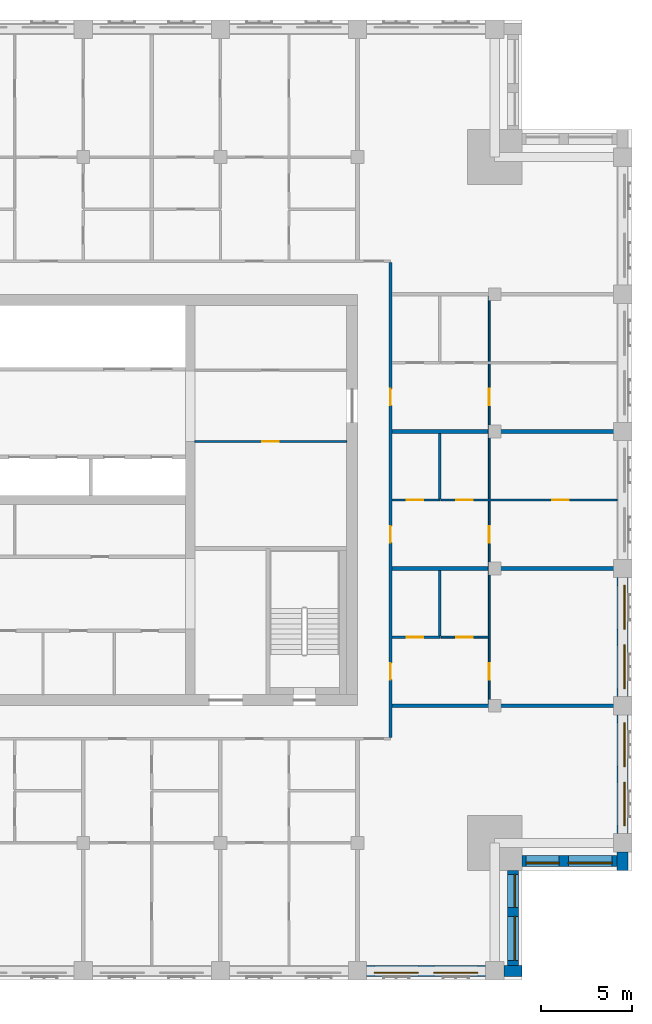
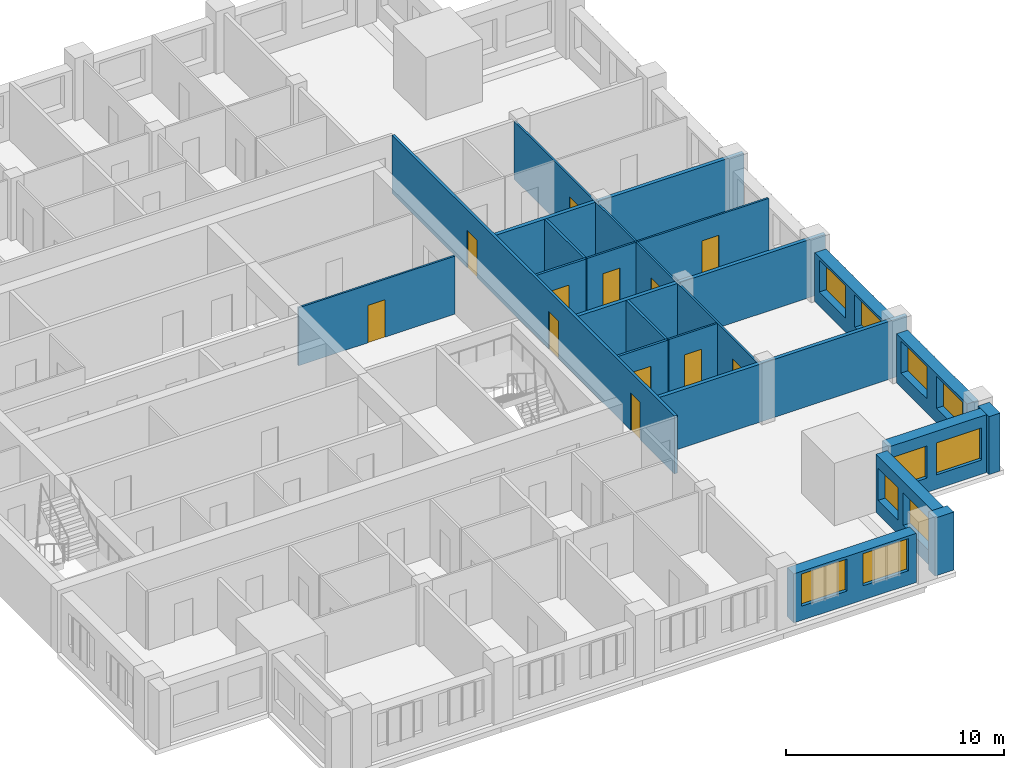
# One storey, part 5 of 10: 19 walls, 12 doors, 10 windows, 22 openings.
"""IFC4 building model written with IfcOpenShell, lengths in metres."""

from ifc_helpers import new_model, si_unit, direction, frame, frame_2d, origin, place, context, subcontext, project, spatial, rectangle, extrude, material, layer, layer_set, type_object, element, fill, save


model = new_model("IFC4")

# Units and contexts
model_context = context("Model", 3, precision=1e-05, world=origin(), true_north=direction((0.0, 1.0)))
body_context = subcontext(model_context, "Body", "Model", "MODEL_VIEW")
ifc_project = project(units=[si_unit("LENGTHUNIT", "METRE"), si_unit("AREAUNIT", "SQUARE_METRE"), si_unit("VOLUMEUNIT", "CUBIC_METRE"), si_unit("PLANEANGLEUNIT", "RADIAN"), si_unit("MASSUNIT", "GRAM", prefix="KILO")], contexts=[model_context])

# Site, building, storey
site_placement = place(None, origin())
site = spatial("IfcSite", under=ifc_project, at=site_placement, CompositionType="ELEMENT")
building_placement = place(site_placement, origin())
building = spatial("IfcBuilding", under=site, at=building_placement, Name="Tamorin Gate", CompositionType="ELEMENT")
storey_placement = place(building_placement, frame((0.0, 0.0, 276.699951171875)))
storey = spatial("IfcBuildingStorey", under=building, at=storey_placement, Name="L69", CompositionType="ELEMENT", Elevation=276.699951171875)

# Wall, openings, windows
ifc_material_1 = material(Name="Precast concrete C40/50", Category="concrete")
ifc_layer_1 = layer(ifc_material_1, 0.60009765625)
ifc_layer_set_1 = layer_set([ifc_layer_1], Name="Precast concrete C40/50")
wall_type_1 = type_object("IfcWallType", Name="Board-marked concrete facade panel 600", PredefinedType="SOLIDWALL", material=ifc_layer_set_1)
wall_1_placement = place(storey_placement, frame((60.5, 45.5, 0.0), z_axis=(0.0, 0.0, 1.0), x_axis=(1.0, 0.0, 0.0)))
wall_1 = element("IfcWall", 1, at=wall_1_placement, inside=storey, type_object=wall_type_1, Name="Facade panel", PredefinedType="SOLIDWALL", context=body_context, shape_type="SweptSolid", body=[
    extrude(rectangle(XDim=6.5, YDim=0.60009765625, at=frame_2d((3.25, 0.0))), origin(), (0.0, 0.0, 1.0), 2.75),
])
opening_1_placement = place(wall_1_placement, frame((0.425048828125, 0.0, 0.800048828125)))
opening_1 = element("IfcOpeningElement", 2, at=opening_1_placement, cuts=wall_1, Name="Opening WN1", PredefinedType="OPENING", context=body_context, shape_type="SweptSolid", body=[
    extrude(rectangle(XDim=2.39990234375, YDim=1.800048828125, at=frame_2d((1.199951171875, 0.89990234375))), frame((0.0, 0.31005859375, 0.0), z_axis=(0.0, -1.0, 0.0), x_axis=(1.0, 0.0, 0.0)), (0.0, 0.0, 1.0), 0.6201171875),
])
opening_2_placement = place(wall_1_placement, frame((3.675048828125, 0.0, 0.800048828125)))
opening_2 = element("IfcOpeningElement", 3, at=opening_2_placement, cuts=wall_1, Name="Opening WN1", PredefinedType="OPENING", context=body_context, shape_type="SweptSolid", body=[
    extrude(rectangle(XDim=2.39990234375, YDim=1.800048828125, at=frame_2d((1.199951171875, 0.89990234375))), frame((0.0, 0.31005859375, 0.0), z_axis=(0.0, -1.0, 0.0), x_axis=(1.0, 0.0, 0.0)), (0.0, 0.0, 1.0), 0.6201171875),
])
ifc_material_2 = material(Name="Clear glass in aluminium frame", Category="aluminium")
window_type_1 = type_object("IfcWindowType", Name="Deep-set window 2400x1800", PartitioningType="SINGLE_PANEL", PredefinedType="WINDOW", material=ifc_material_2)
window_1_placement = place(opening_1_placement, origin())
window_1 = element("IfcWindow", 4, at=window_1_placement, inside=storey, type_object=window_type_1, Name="Deep-set window", OverallHeight=1.800048828125, OverallWidth=2.39990234375, PartitioningType="SINGLE_PANEL", PredefinedType="WINDOW", context=body_context, shape_type="SweptSolid", body=[
    extrude(rectangle(XDim=2.39990234375, YDim=1.800048828125, at=frame_2d((1.199951171875, 0.89990234375))), frame((0.0, -0.070068359375, 0.0), z_axis=(0.0, -1.0, 0.0), x_axis=(1.0, 0.0, 0.0)), (0.0, 0.0, 1.0), 0.06005859375),
])
fill(opening_1, window_1)
window_2_placement = place(opening_2_placement, origin())
window_2 = element("IfcWindow", 5, at=window_2_placement, inside=storey, type_object=window_type_1, Name="Deep-set window", OverallHeight=1.800048828125, OverallWidth=2.39990234375, PartitioningType="SINGLE_PANEL", PredefinedType="WINDOW", context=body_context, shape_type="SweptSolid", body=[
    extrude(rectangle(XDim=2.39990234375, YDim=1.800048828125, at=frame_2d((1.199951171875, 0.89990234375))), frame((0.0, -0.070068359375, 0.0), z_axis=(0.0, -1.0, 0.0), x_axis=(1.0, 0.0, 0.0)), (0.0, 0.0, 1.0), 0.06005859375),
])
fill(opening_2, window_2)

# Wall
wall_2_placement = place(storey_placement, frame((68.0, 45.5, 0.0), z_axis=(0.0, 0.0, 1.0), x_axis=(1.0, 0.0, 0.0)))
element("IfcWall", 6, at=wall_2_placement, inside=storey, type_object=wall_type_1, Name="Facade panel", PredefinedType="SOLIDWALL", context=body_context, shape_type="SweptSolid", body=[
    extrude(rectangle(XDim=1.0, YDim=0.60009765625, at=frame_2d((0.5, 0.0))), origin(), (0.0, 0.0, 1.0), 3.25),
])

# Wall, openings, windows
wall_3_placement = place(storey_placement, frame((68.5, 45.800048828125, 0.0), z_axis=(0.0, 0.0, 1.0), x_axis=(0.0, 1.0, 0.0)))
wall_3 = element("IfcWall", 7, at=wall_3_placement, inside=storey, type_object=wall_type_1, Name="Facade panel", PredefinedType="SOLIDWALL", context=body_context, shape_type="SweptSolid", body=[
    extrude(rectangle(XDim=5.199951171875, YDim=0.60009765625, at=frame_2d((2.60009765625, 0.0))), origin(), (0.0, 0.0, 1.0), 3.25),
])
opening_3_placement = place(wall_3_placement, frame((0.27490234375, 0.0, 0.800048828125)))
opening_3 = element("IfcOpeningElement", 8, at=opening_3_placement, cuts=wall_3, Name="Opening WN1", PredefinedType="OPENING", context=body_context, shape_type="SweptSolid", body=[
    extrude(rectangle(XDim=2.39990234375, YDim=1.800048828125, at=frame_2d((1.199951171875, 0.89990234375))), frame((0.0, 0.31005859375, 0.0), z_axis=(0.0, -1.0, 0.0), x_axis=(1.0, 0.0, 0.0)), (0.0, 0.0, 1.0), 0.6201171875),
])
opening_4_placement = place(wall_3_placement, frame((3.175048828125, 0.0, 0.800048828125)))
opening_4 = element("IfcOpeningElement", 9, at=opening_4_placement, cuts=wall_3, Name="Opening WN2", PredefinedType="OPENING", context=body_context, shape_type="SweptSolid", body=[
    extrude(rectangle(XDim=1.800048828125, YDim=1.800048828125, at=frame_2d((0.89990234375, 0.89990234375))), frame((0.0, 0.31005859375, 0.0), z_axis=(0.0, -1.0, 0.0), x_axis=(1.0, 0.0, 0.0)), (0.0, 0.0, 1.0), 0.6201171875),
])
window_type_2 = type_object("IfcWindowType", Name="Deep-set window 1800x1800", PartitioningType="SINGLE_PANEL", PredefinedType="WINDOW", material=ifc_material_2)
window_3_placement = place(opening_4_placement, origin())
window_3 = element("IfcWindow", 10, at=window_3_placement, inside=storey, type_object=window_type_2, Name="Deep-set window", OverallHeight=1.800048828125, OverallWidth=1.800048828125, PartitioningType="SINGLE_PANEL", PredefinedType="WINDOW", context=body_context, shape_type="SweptSolid", body=[
    extrude(rectangle(XDim=1.800048828125, YDim=1.800048828125, at=frame_2d((0.89990234375, 0.89990234375))), frame((0.0, -0.070068359375, 0.0), z_axis=(0.0, -1.0, 0.0), x_axis=(1.0, 0.0, 0.0)), (0.0, 0.0, 1.0), 0.06005859375),
])
fill(opening_4, window_3)
window_4_placement = place(opening_3_placement, origin())
window_4 = element("IfcWindow", 11, at=window_4_placement, inside=storey, type_object=window_type_1, Name="Deep-set window", OverallHeight=1.800048828125, OverallWidth=2.39990234375, PartitioningType="SINGLE_PANEL", PredefinedType="WINDOW", context=body_context, shape_type="SweptSolid", body=[
    extrude(rectangle(XDim=2.39990234375, YDim=1.800048828125, at=frame_2d((1.199951171875, 0.89990234375))), frame((0.0, -0.070068359375, 0.0), z_axis=(0.0, -1.0, 0.0), x_axis=(1.0, 0.0, 0.0)), (0.0, 0.0, 1.0), 0.06005859375),
])
fill(opening_3, window_4)

wall_4_placement = place(storey_placement, frame((69.0, 51.5, 0.0), z_axis=(0.0, 0.0, 1.0), x_axis=(1.0, 0.0, 0.0)))
wall_4 = element("IfcWall", 12, at=wall_4_placement, inside=storey, type_object=wall_type_1, Name="Facade panel", PredefinedType="SOLIDWALL", context=body_context, shape_type="SweptSolid", body=[
    extrude(rectangle(XDim=5.199951171875, YDim=0.60009765625, at=frame_2d((2.60009765625, 0.0))), origin(), (0.0, 0.0, 1.0), 3.25),
])
opening_5_placement = place(wall_4_placement, frame((0.22509765625, 0.0, 0.800048828125)))
opening_5 = element("IfcOpeningElement", 13, at=opening_5_placement, cuts=wall_4, Name="Opening WN2", PredefinedType="OPENING", context=body_context, shape_type="SweptSolid", body=[
    extrude(rectangle(XDim=1.800048828125, YDim=1.800048828125, at=frame_2d((0.89990234375, 0.89990234375))), frame((0.0, 0.31005859375, 0.0), z_axis=(0.0, -1.0, 0.0), x_axis=(1.0, 0.0, 0.0)), (0.0, 0.0, 1.0), 0.6201171875),
])
opening_6_placement = place(wall_4_placement, frame((2.52490234375, 0.0, 0.800048828125)))
opening_6 = element("IfcOpeningElement", 14, at=opening_6_placement, cuts=wall_4, Name="Opening WN1", PredefinedType="OPENING", context=body_context, shape_type="SweptSolid", body=[
    extrude(rectangle(XDim=2.39990234375, YDim=1.800048828125, at=frame_2d((1.199951171875, 0.89990234375))), frame((0.0, 0.31005859375, 0.0), z_axis=(0.0, -1.0, 0.0), x_axis=(1.0, 0.0, 0.0)), (0.0, 0.0, 1.0), 0.6201171875),
])
window_5_placement = place(opening_5_placement, origin())
window_5 = element("IfcWindow", 15, at=window_5_placement, inside=storey, type_object=window_type_2, Name="Deep-set window", OverallHeight=1.800048828125, OverallWidth=1.800048828125, PartitioningType="SINGLE_PANEL", PredefinedType="WINDOW", context=body_context, shape_type="SweptSolid", body=[
    extrude(rectangle(XDim=1.800048828125, YDim=1.800048828125, at=frame_2d((0.89990234375, 0.89990234375))), frame((0.0, -0.070068359375, 0.0), z_axis=(0.0, -1.0, 0.0), x_axis=(1.0, 0.0, 0.0)), (0.0, 0.0, 1.0), 0.06005859375),
])
fill(opening_5, window_5)
window_6_placement = place(opening_6_placement, origin())
window_6 = element("IfcWindow", 16, at=window_6_placement, inside=storey, type_object=window_type_1, Name="Deep-set window", OverallHeight=1.800048828125, OverallWidth=2.39990234375, PartitioningType="SINGLE_PANEL", PredefinedType="WINDOW", context=body_context, shape_type="SweptSolid", body=[
    extrude(rectangle(XDim=2.39990234375, YDim=1.800048828125, at=frame_2d((1.199951171875, 0.89990234375))), frame((0.0, -0.070068359375, 0.0), z_axis=(0.0, -1.0, 0.0), x_axis=(1.0, 0.0, 0.0)), (0.0, 0.0, 1.0), 0.06005859375),
])
fill(opening_6, window_6)

# Wall
wall_5_placement = place(storey_placement, frame((74.5, 51.0, 0.0), z_axis=(0.0, 0.0, 1.0), x_axis=(0.0, 1.0, 0.0)))
element("IfcWall", 17, at=wall_5_placement, inside=storey, type_object=wall_type_1, Name="Facade panel", PredefinedType="SOLIDWALL", context=body_context, shape_type="SweptSolid", body=[
    extrude(rectangle(XDim=1.0, YDim=0.60009765625, at=frame_2d((0.5, 0.0))), origin(), (0.0, 0.0, 1.0), 3.25),
])

# Wall, openings, windows
wall_6_placement = place(storey_placement, frame((74.5, 53.0, 0.0), z_axis=(0.0, 0.0, 1.0), x_axis=(0.0, 1.0, 0.0)))
wall_6 = element("IfcWall", 18, at=wall_6_placement, inside=storey, type_object=wall_type_1, Name="Facade panel", PredefinedType="SOLIDWALL", context=body_context, shape_type="SweptSolid", body=[
    extrude(rectangle(XDim=6.5, YDim=0.60009765625, at=frame_2d((3.25, 0.0))), origin(), (0.0, 0.0, 1.0), 2.75),
])
opening_7_placement = place(wall_6_placement, frame((0.425048828125, 0.0, 0.800048828125)))
opening_7 = element("IfcOpeningElement", 19, at=opening_7_placement, cuts=wall_6, Name="Opening WN1", PredefinedType="OPENING", context=body_context, shape_type="SweptSolid", body=[
    extrude(rectangle(XDim=2.39990234375, YDim=1.800048828125, at=frame_2d((1.199951171875, 0.89990234375))), frame((0.0, 0.31005859375, 0.0), z_axis=(0.0, -1.0, 0.0), x_axis=(1.0, 0.0, 0.0)), (0.0, 0.0, 1.0), 0.6201171875),
])
opening_8_placement = place(wall_6_placement, frame((3.675048828125, 0.0, 0.800048828125)))
opening_8 = element("IfcOpeningElement", 20, at=opening_8_placement, cuts=wall_6, Name="Opening WN1", PredefinedType="OPENING", context=body_context, shape_type="SweptSolid", body=[
    extrude(rectangle(XDim=2.39990234375, YDim=1.800048828125, at=frame_2d((1.199951171875, 0.89990234375))), frame((0.0, 0.31005859375, 0.0), z_axis=(0.0, -1.0, 0.0), x_axis=(1.0, 0.0, 0.0)), (0.0, 0.0, 1.0), 0.6201171875),
])
window_7_placement = place(opening_7_placement, origin())
window_7 = element("IfcWindow", 21, at=window_7_placement, inside=storey, type_object=window_type_1, Name="Deep-set window", OverallHeight=1.800048828125, OverallWidth=2.39990234375, PartitioningType="SINGLE_PANEL", PredefinedType="WINDOW", context=body_context, shape_type="SweptSolid", body=[
    extrude(rectangle(XDim=2.39990234375, YDim=1.800048828125, at=frame_2d((1.199951171875, 0.89990234375))), frame((0.0, -0.070068359375, 0.0), z_axis=(0.0, -1.0, 0.0), x_axis=(1.0, 0.0, 0.0)), (0.0, 0.0, 1.0), 0.06005859375),
])
fill(opening_7, window_7)
window_8_placement = place(opening_8_placement, origin())
window_8 = element("IfcWindow", 22, at=window_8_placement, inside=storey, type_object=window_type_1, Name="Deep-set window", OverallHeight=1.800048828125, OverallWidth=2.39990234375, PartitioningType="SINGLE_PANEL", PredefinedType="WINDOW", context=body_context, shape_type="SweptSolid", body=[
    extrude(rectangle(XDim=2.39990234375, YDim=1.800048828125, at=frame_2d((1.199951171875, 0.89990234375))), frame((0.0, -0.070068359375, 0.0), z_axis=(0.0, -1.0, 0.0), x_axis=(1.0, 0.0, 0.0)), (0.0, 0.0, 1.0), 0.06005859375),
])
fill(opening_8, window_8)

wall_7_placement = place(storey_placement, frame((74.5, 60.5, 0.0), z_axis=(0.0, 0.0, 1.0), x_axis=(0.0, 1.0, 0.0)))
wall_7 = element("IfcWall", 23, at=wall_7_placement, inside=storey, type_object=wall_type_1, Name="Facade panel", PredefinedType="SOLIDWALL", context=body_context, shape_type="SweptSolid", body=[
    extrude(rectangle(XDim=6.5, YDim=0.60009765625, at=frame_2d((3.25, 0.0))), origin(), (0.0, 0.0, 1.0), 2.75),
])
opening_9_placement = place(wall_7_placement, frame((0.425048828125, 0.0, 0.800048828125)))
opening_9 = element("IfcOpeningElement", 24, at=opening_9_placement, cuts=wall_7, Name="Opening WN1", PredefinedType="OPENING", context=body_context, shape_type="SweptSolid", body=[
    extrude(rectangle(XDim=2.39990234375, YDim=1.800048828125, at=frame_2d((1.199951171875, 0.89990234375))), frame((0.0, 0.31005859375, 0.0), z_axis=(0.0, -1.0, 0.0), x_axis=(1.0, 0.0, 0.0)), (0.0, 0.0, 1.0), 0.6201171875),
])
opening_10_placement = place(wall_7_placement, frame((3.675048828125, 0.0, 0.800048828125)))
opening_10 = element("IfcOpeningElement", 25, at=opening_10_placement, cuts=wall_7, Name="Opening WN1", PredefinedType="OPENING", context=body_context, shape_type="SweptSolid", body=[
    extrude(rectangle(XDim=2.39990234375, YDim=1.800048828125, at=frame_2d((1.199951171875, 0.89990234375))), frame((0.0, 0.31005859375, 0.0), z_axis=(0.0, -1.0, 0.0), x_axis=(1.0, 0.0, 0.0)), (0.0, 0.0, 1.0), 0.6201171875),
])
window_9_placement = place(opening_9_placement, origin())
window_9 = element("IfcWindow", 26, at=window_9_placement, inside=storey, type_object=window_type_1, Name="Deep-set window", OverallHeight=1.800048828125, OverallWidth=2.39990234375, PartitioningType="SINGLE_PANEL", PredefinedType="WINDOW", context=body_context, shape_type="SweptSolid", body=[
    extrude(rectangle(XDim=2.39990234375, YDim=1.800048828125, at=frame_2d((1.199951171875, 0.89990234375))), frame((0.0, -0.070068359375, 0.0), z_axis=(0.0, -1.0, 0.0), x_axis=(1.0, 0.0, 0.0)), (0.0, 0.0, 1.0), 0.06005859375),
])
fill(opening_9, window_9)
window_10_placement = place(opening_10_placement, origin())
window_10 = element("IfcWindow", 27, at=window_10_placement, inside=storey, type_object=window_type_1, Name="Deep-set window", OverallHeight=1.800048828125, OverallWidth=2.39990234375, PartitioningType="SINGLE_PANEL", PredefinedType="WINDOW", context=body_context, shape_type="SweptSolid", body=[
    extrude(rectangle(XDim=2.39990234375, YDim=1.800048828125, at=frame_2d((1.199951171875, 0.89990234375))), frame((0.0, -0.070068359375, 0.0), z_axis=(0.0, -1.0, 0.0), x_axis=(1.0, 0.0, 0.0)), (0.0, 0.0, 1.0), 0.06005859375),
])
fill(opening_10, window_10)

# Wall, openings, doors
ifc_material_3 = material(Name="Gypsum board partition")
ifc_layer_2 = layer(ifc_material_3, 0.14990234375)
ifc_layer_set_2 = layer_set([ifc_layer_2], Name="Corridor wall 150")
wall_type_2 = type_object("IfcWallType", Name="Corridor wall 150", PredefinedType="PARTITIONING", material=ifc_layer_set_2)
wall_8_placement = place(storey_placement, frame((61.800048828125, 58.27490234375, 0.0), z_axis=(0.0, 0.0, 1.0), x_axis=(0.0, 1.0, 0.0)))
wall_8 = element("IfcWall", 28, at=wall_8_placement, inside=storey, type_object=wall_type_2, Name="Corridor wall 150", PredefinedType="PARTITIONING", context=body_context, shape_type="SweptSolid", body=[
    extrude(rectangle(XDim=25.9501953125, YDim=0.14990234375, at=frame_2d((12.97509765625, 0.0))), origin(), (0.0, 0.0, 1.0), 3.25),
])
opening_11_placement = place(wall_8_placement, frame((3.14990234375, 0.0, 0.0)))
opening_11 = element("IfcOpeningElement", 29, at=opening_11_placement, cuts=wall_8, Name="Opening DR11035", PredefinedType="OPENING", context=body_context, shape_type="SweptSolid", body=[
    extrude(rectangle(XDim=0.89990234375, YDim=2.10009765625, at=frame_2d((0.449951171875, 1.050048828125))), frame((0.0, 0.0849609375, 0.0), z_axis=(0.0, -1.0, 0.0), x_axis=(1.0, 0.0, 0.0)), (0.0, 0.0, 1.0), 0.169921875),
])
opening_12_placement = place(wall_8_placement, frame((10.64990234375, 0.0, 0.0)))
opening_12 = element("IfcOpeningElement", 30, at=opening_12_placement, cuts=wall_8, Name="Opening DR11039", PredefinedType="OPENING", context=body_context, shape_type="SweptSolid", body=[
    extrude(rectangle(XDim=0.89990234375, YDim=2.10009765625, at=frame_2d((0.449951171875, 1.050048828125))), frame((0.0, 0.0849609375, 0.0), z_axis=(0.0, -1.0, 0.0), x_axis=(1.0, 0.0, 0.0)), (0.0, 0.0, 1.0), 0.169921875),
])
opening_13_placement = place(wall_8_placement, frame((18.14990234375, 0.0, 0.0)))
opening_13 = element("IfcOpeningElement", 31, at=opening_13_placement, cuts=wall_8, Name="Opening DR11044", PredefinedType="OPENING", context=body_context, shape_type="SweptSolid", body=[
    extrude(rectangle(XDim=0.89990234375, YDim=2.10009765625, at=frame_2d((0.449951171875, 1.050048828125))), frame((0.0, 0.0849609375, 0.0), z_axis=(0.0, -1.0, 0.0), x_axis=(1.0, 0.0, 0.0)), (0.0, 0.0, 1.0), 0.169921875),
])
ifc_material_4 = material(Name="Timber door leaf", Category="wood")
door_type_1 = type_object("IfcDoorType", Name="Door 900 x 2100 FD30S", OperationType="NOTDEFINED", PredefinedType="DOOR", material=ifc_material_4)
door_1_placement = place(opening_11_placement, origin())
door_1 = element("IfcDoor", 32, at=door_1_placement, inside=storey, type_object=door_type_1, Name="Door DR11035", OperationType="SINGLE_SWING_RIGHT", OverallHeight=2.10009765625, OverallWidth=0.89990234375, PredefinedType="DOOR", context=body_context, shape_type="SweptSolid", body=[
    extrude(rectangle(XDim=0.89990234375, YDim=2.10009765625, at=frame_2d((0.449951171875, 1.050048828125))), frame((0.0, 0.02490234375, 0.0), z_axis=(0.0, -1.0, 0.0), x_axis=(1.0, 0.0, 0.0)), (0.0, 0.0, 1.0), 0.050048828125),
])
fill(opening_11, door_1)
door_2_placement = place(opening_12_placement, origin())
door_2 = element("IfcDoor", 33, at=door_2_placement, inside=storey, type_object=door_type_1, Name="Door DR11039", OperationType="SINGLE_SWING_RIGHT", OverallHeight=2.10009765625, OverallWidth=0.89990234375, PredefinedType="DOOR", context=body_context, shape_type="SweptSolid", body=[
    extrude(rectangle(XDim=0.89990234375, YDim=2.10009765625, at=frame_2d((0.449951171875, 1.050048828125))), frame((0.0, 0.02490234375, 0.0), z_axis=(0.0, -1.0, 0.0), x_axis=(1.0, 0.0, 0.0)), (0.0, 0.0, 1.0), 0.050048828125),
])
fill(opening_12, door_2)
door_3_placement = place(opening_13_placement, origin())
door_3 = element("IfcDoor", 34, at=door_3_placement, inside=storey, type_object=door_type_1, Name="Door DR11044", OperationType="SINGLE_SWING_RIGHT", OverallHeight=2.10009765625, OverallWidth=0.89990234375, PredefinedType="DOOR", context=body_context, shape_type="SweptSolid", body=[
    extrude(rectangle(XDim=0.89990234375, YDim=2.10009765625, at=frame_2d((0.449951171875, 1.050048828125))), frame((0.0, 0.02490234375, 0.0), z_axis=(0.0, -1.0, 0.0), x_axis=(1.0, 0.0, 0.0)), (0.0, 0.0, 1.0), 0.050048828125),
])
fill(opening_13, door_3)

# Walls
ifc_layer_3 = layer(ifc_material_3, 0.199951171875)
ifc_layer_set_3 = layer_set([ifc_layer_3], Name="Demising wall 200")
wall_type_3 = type_object("IfcWallType", Name="Demising wall 200", PredefinedType="PARTITIONING", material=ifc_layer_set_3)
for number, where, z_axis, x_axis, name in (
    (35, (61.875, 60.0, 0.0), (0.0, 0.0, 1.0), (1.0, 0.0, 0.0), "Demising wall 200"),
    (36, (61.875, 67.5, 0.0), (0.0, 0.0, 1.0), (1.0, 0.0, 0.0), "Demising wall 200"),
    (37, (61.875, 75.0, 0.0), (0.0, 0.0, 1.0), (1.0, 0.0, 0.0), "Demising wall 200"),
):
    element("IfcWall", number, at=place(storey_placement, frame(where, z_axis=z_axis, x_axis=x_axis)), inside=storey, type_object=wall_type_3, Name=name, PredefinedType="PARTITIONING", context=body_context, shape_type="SweptSolid", body=[
        extrude(rectangle(XDim=13.125, YDim=0.199951171875, at=frame_2d((6.5625, 0.0))), origin(), (0.0, 0.0, 1.0), 3.25),
    ])

# Wall, opening, door
ifc_layer_4 = layer(ifc_material_3, 0.10009765625)
ifc_layer_set_4 = layer_set([ifc_layer_4], Name="Room partition 100")
wall_type_4 = type_object("IfcWallType", Name="Room partition 100", PredefinedType="PARTITIONING", material=ifc_layer_set_4)
wall_9_placement = place(storey_placement, frame((64.5625, 63.75, 0.0), z_axis=(0.0, 0.0, 1.0), x_axis=(1.0, 0.0, 0.0)))
wall_9 = element("IfcWall", 38, at=wall_9_placement, inside=storey, type_object=wall_type_4, Name="Room partition 100", PredefinedType="PARTITIONING", context=body_context, shape_type="SweptSolid", body=[
    extrude(rectangle(XDim=2.58740234375, YDim=0.10009765625, at=frame_2d((1.293701171875, 0.0))), origin(), (0.0, 0.0, 1.0), 3.25),
])
opening_14_placement = place(wall_9_placement, frame((0.83740234375, 0.0, 0.0)))
opening_14 = element("IfcOpeningElement", 39, at=opening_14_placement, cuts=wall_9, Name="Opening DR11037", PredefinedType="OPENING", context=body_context, shape_type="SweptSolid", body=[
    extrude(rectangle(XDim=0.89990234375, YDim=2.10009765625, at=frame_2d((0.449951171875, 1.050048828125))), frame((0.0, 0.06005859375, 0.0), z_axis=(0.0, -1.0, 0.0), x_axis=(1.0, 0.0, 0.0)), (0.0, 0.0, 1.0), 0.1201171875),
])
door_type_2 = type_object("IfcDoorType", Name="Door 900 x 2100", OperationType="NOTDEFINED", PredefinedType="DOOR", material=ifc_material_4)
door_4_placement = place(opening_14_placement, origin())
door_4 = element("IfcDoor", 40, at=door_4_placement, inside=storey, type_object=door_type_2, Name="Door DR11037", OperationType="SINGLE_SWING_LEFT", OverallHeight=2.10009765625, OverallWidth=0.89990234375, PredefinedType="DOOR", context=body_context, shape_type="SweptSolid", body=[
    extrude(rectangle(XDim=0.89990234375, YDim=2.10009765625, at=frame_2d((0.449951171875, 1.050048828125))), frame((0.0, 0.02490234375, 0.0), z_axis=(0.0, -1.0, 0.0), x_axis=(1.0, 0.0, 0.0)), (0.0, 0.0, 1.0), 0.050048828125),
])
fill(opening_14, door_4)

# Wall, openings, doors
wall_10_placement = place(storey_placement, frame((64.5625, 71.25, 0.0), z_axis=(0.0, 0.0, 1.0), x_axis=(1.0, 0.0, 0.0)))
wall_10 = element("IfcWall", 41, at=wall_10_placement, inside=storey, type_object=wall_type_4, Name="Room partition 100", PredefinedType="PARTITIONING", context=body_context, shape_type="SweptSolid", body=[
    extrude(rectangle(XDim=9.62744140625, YDim=0.10009765625, at=frame_2d((4.813720703125, 0.0))), origin(), (0.0, 0.0, 1.0), 3.25),
])
opening_15_placement = place(wall_10_placement, frame((0.83740234375, 0.0, 0.0)))
opening_15 = element("IfcOpeningElement", 42, at=opening_15_placement, cuts=wall_10, Name="Opening DR11041", PredefinedType="OPENING", context=body_context, shape_type="SweptSolid", body=[
    extrude(rectangle(XDim=0.89990234375, YDim=2.10009765625, at=frame_2d((0.449951171875, 1.050048828125))), frame((0.0, 0.06005859375, 0.0), z_axis=(0.0, -1.0, 0.0), x_axis=(1.0, 0.0, 0.0)), (0.0, 0.0, 1.0), 0.1201171875),
])
opening_16_placement = place(wall_10_placement, frame((6.08740234375, 0.0, 0.0)))
opening_16 = element("IfcOpeningElement", 43, at=opening_16_placement, cuts=wall_10, Name="Opening DR11043", PredefinedType="OPENING", context=body_context, shape_type="SweptSolid", body=[
    extrude(rectangle(XDim=0.89990234375, YDim=2.10009765625, at=frame_2d((0.449951171875, 1.050048828125))), frame((0.0, 0.06005859375, 0.0), z_axis=(0.0, -1.0, 0.0), x_axis=(1.0, 0.0, 0.0)), (0.0, 0.0, 1.0), 0.1201171875),
])
door_5_placement = place(opening_15_placement, origin())
door_5 = element("IfcDoor", 44, at=door_5_placement, inside=storey, type_object=door_type_2, Name="Door DR11041", OperationType="SINGLE_SWING_LEFT", OverallHeight=2.10009765625, OverallWidth=0.89990234375, PredefinedType="DOOR", context=body_context, shape_type="SweptSolid", body=[
    extrude(rectangle(XDim=0.89990234375, YDim=2.10009765625, at=frame_2d((0.449951171875, 1.050048828125))), frame((0.0, 0.02490234375, 0.0), z_axis=(0.0, -1.0, 0.0), x_axis=(1.0, 0.0, 0.0)), (0.0, 0.0, 1.0), 0.050048828125),
])
fill(opening_15, door_5)
door_6_placement = place(opening_16_placement, origin())
door_6 = element("IfcDoor", 45, at=door_6_placement, inside=storey, type_object=door_type_2, Name="Door DR11043", OperationType="SINGLE_SWING_RIGHT", OverallHeight=2.10009765625, OverallWidth=0.89990234375, PredefinedType="DOOR", context=body_context, shape_type="SweptSolid", body=[
    extrude(rectangle(XDim=0.89990234375, YDim=2.10009765625, at=frame_2d((0.449951171875, 1.050048828125))), frame((0.0, 0.02490234375, 0.0), z_axis=(0.0, -1.0, 0.0), x_axis=(1.0, 0.0, 0.0)), (0.0, 0.0, 1.0), 0.050048828125),
])
fill(opening_16, door_6)

wall_11_placement = place(storey_placement, frame((67.199951171875, 60.10009765625, 0.0), z_axis=(0.0, 0.0, 1.0), x_axis=(0.0, 1.0, 0.0)))
wall_11 = element("IfcWall", 46, at=wall_11_placement, inside=storey, type_object=wall_type_4, Name="Room partition 100", PredefinedType="PARTITIONING", context=body_context, shape_type="SweptSolid", body=[
    extrude(rectangle(XDim=22.2998046875, YDim=0.10009765625, at=frame_2d((11.14990234375, 0.0))), origin(), (0.0, 0.0, 1.0), 3.25),
])
opening_17_placement = place(wall_11_placement, frame((1.324951171875, 0.0, 0.0)))
opening_17 = element("IfcOpeningElement", 47, at=opening_17_placement, cuts=wall_11, Name="Opening DR11036", PredefinedType="OPENING", context=body_context, shape_type="SweptSolid", body=[
    extrude(rectangle(XDim=0.89990234375, YDim=2.10009765625, at=frame_2d((0.449951171875, 1.050048828125))), frame((0.0, 0.06005859375, 0.0), z_axis=(0.0, -1.0, 0.0), x_axis=(1.0, 0.0, 0.0)), (0.0, 0.0, 1.0), 0.1201171875),
])
opening_18_placement = place(wall_11_placement, frame((8.824951171875, 0.0, 0.0)))
opening_18 = element("IfcOpeningElement", 48, at=opening_18_placement, cuts=wall_11, Name="Opening DR11040", PredefinedType="OPENING", context=body_context, shape_type="SweptSolid", body=[
    extrude(rectangle(XDim=0.89990234375, YDim=2.10009765625, at=frame_2d((0.449951171875, 1.050048828125))), frame((0.0, 0.06005859375, 0.0), z_axis=(0.0, -1.0, 0.0), x_axis=(1.0, 0.0, 0.0)), (0.0, 0.0, 1.0), 0.1201171875),
])
opening_19_placement = place(wall_11_placement, frame((16.324951171875, 0.0, 0.0)))
opening_19 = element("IfcOpeningElement", 49, at=opening_19_placement, cuts=wall_11, Name="Opening DR11045", PredefinedType="OPENING", context=body_context, shape_type="SweptSolid", body=[
    extrude(rectangle(XDim=0.89990234375, YDim=2.10009765625, at=frame_2d((0.449951171875, 1.050048828125))), frame((0.0, 0.06005859375, 0.0), z_axis=(0.0, -1.0, 0.0), x_axis=(1.0, 0.0, 0.0)), (0.0, 0.0, 1.0), 0.1201171875),
])
door_7_placement = place(opening_17_placement, origin())
door_7 = element("IfcDoor", 50, at=door_7_placement, inside=storey, type_object=door_type_2, Name="Door DR11036", OperationType="SINGLE_SWING_LEFT", OverallHeight=2.10009765625, OverallWidth=0.89990234375, PredefinedType="DOOR", context=body_context, shape_type="SweptSolid", body=[
    extrude(rectangle(XDim=0.89990234375, YDim=2.10009765625, at=frame_2d((0.449951171875, 1.050048828125))), frame((0.0, 0.02490234375, 0.0), z_axis=(0.0, -1.0, 0.0), x_axis=(1.0, 0.0, 0.0)), (0.0, 0.0, 1.0), 0.050048828125),
])
fill(opening_17, door_7)
door_8_placement = place(opening_18_placement, origin())
door_8 = element("IfcDoor", 51, at=door_8_placement, inside=storey, type_object=door_type_2, Name="Door DR11040", OperationType="SINGLE_SWING_LEFT", OverallHeight=2.10009765625, OverallWidth=0.89990234375, PredefinedType="DOOR", context=body_context, shape_type="SweptSolid", body=[
    extrude(rectangle(XDim=0.89990234375, YDim=2.10009765625, at=frame_2d((0.449951171875, 1.050048828125))), frame((0.0, 0.02490234375, 0.0), z_axis=(0.0, -1.0, 0.0), x_axis=(1.0, 0.0, 0.0)), (0.0, 0.0, 1.0), 0.050048828125),
])
fill(opening_18, door_8)
door_9_placement = place(opening_19_placement, origin())
door_9 = element("IfcDoor", 52, at=door_9_placement, inside=storey, type_object=door_type_2, Name="Door DR11045", OperationType="SINGLE_SWING_LEFT", OverallHeight=2.10009765625, OverallWidth=0.89990234375, PredefinedType="DOOR", context=body_context, shape_type="SweptSolid", body=[
    extrude(rectangle(XDim=0.89990234375, YDim=2.10009765625, at=frame_2d((0.449951171875, 1.050048828125))), frame((0.0, 0.02490234375, 0.0), z_axis=(0.0, -1.0, 0.0), x_axis=(1.0, 0.0, 0.0)), (0.0, 0.0, 1.0), 0.050048828125),
])
fill(opening_19, door_9)

# Wall, opening, door
ifc_layer_5 = layer(ifc_material_3, 0.10009765625)
ifc_layer_set_5 = layer_set([ifc_layer_5], Name="Service room partition 100 EI 60")
wall_type_5 = type_object("IfcWallType", Name="Service room partition 100 EI 60", PredefinedType="PARTITIONING", material=ifc_layer_set_5)
wall_12_placement = place(storey_placement, frame((51.10009765625, 74.449951171875, 0.0), z_axis=(0.0, 0.0, 1.0), x_axis=(1.0, 0.0, 0.0)))
wall_12 = element("IfcWall", 53, at=wall_12_placement, inside=storey, type_object=wall_type_5, Name="Service room wall", PredefinedType="PARTITIONING", context=body_context, shape_type="SweptSolid", body=[
    extrude(rectangle(XDim=8.2998046875, YDim=0.10009765625, at=frame_2d((4.14990234375, 0.0))), origin(), (0.0, 0.0, 1.0), 3.25),
])
opening_20_placement = place(wall_12_placement, frame((3.699951171875, 0.0, 0.0)))
opening_20 = element("IfcOpeningElement", 54, at=opening_20_placement, cuts=wall_12, Name="Opening DR1", PredefinedType="OPENING", context=body_context, shape_type="SweptSolid", body=[
    extrude(rectangle(XDim=0.89990234375, YDim=2.10009765625, at=frame_2d((0.449951171875, 1.050048828125))), frame((0.0, 0.06005859375, 0.0), z_axis=(0.0, -1.0, 0.0), x_axis=(1.0, 0.0, 0.0)), (0.0, 0.0, 1.0), 0.1201171875),
])
ifc_material_5 = material(Name="Steel fire door", Category="steel")
door_type_3 = type_object("IfcDoorType", Name="Riser access door 900 x 2100 EI 120", OperationType="SINGLE_SWING_LEFT", PredefinedType="DOOR", material=ifc_material_5)
door_10_placement = place(opening_20_placement, origin())
door_10 = element("IfcDoor", 55, at=door_10_placement, inside=storey, type_object=door_type_3, Name="Duct riser door", OperationType="SINGLE_SWING_LEFT", OverallHeight=2.10009765625, OverallWidth=0.89990234375, PredefinedType="DOOR", context=body_context, shape_type="SweptSolid", body=[
    extrude(rectangle(XDim=0.89990234375, YDim=2.10009765625, at=frame_2d((0.449951171875, 1.050048828125))), frame((0.0, 0.02490234375, 0.0), z_axis=(0.0, -1.0, 0.0), x_axis=(1.0, 0.0, 0.0)), (0.0, 0.0, 1.0), 0.050048828125),
])
fill(opening_20, door_10)

ifc_layer_6 = layer(ifc_material_3, 0.125)
ifc_layer_set_6 = layer_set([ifc_layer_6], Name="Wet wall 125")
wall_type_6 = type_object("IfcWallType", Name="Wet wall 125", PredefinedType="PARTITIONING", material=ifc_layer_set_6)
wall_13_placement = place(storey_placement, frame((61.875, 63.75, 0.0), z_axis=(0.0, 0.0, 1.0), x_axis=(1.0, 0.0, 0.0)))
wall_13 = element("IfcWall", 56, at=wall_13_placement, inside=storey, type_object=wall_type_6, Name="Wet wall 125", PredefinedType="PARTITIONING", context=body_context, shape_type="SweptSolid", body=[
    extrude(rectangle(XDim=2.625, YDim=0.125, at=frame_2d((1.3125, 0.0))), origin(), (0.0, 0.0, 1.0), 3.25),
])
opening_21_placement = place(wall_13_placement, frame((0.824951171875, 0.0, 0.0)))
opening_21 = element("IfcOpeningElement", 57, at=opening_21_placement, cuts=wall_13, Name="Opening DR11038", PredefinedType="OPENING", context=body_context, shape_type="SweptSolid", body=[
    extrude(rectangle(XDim=0.89990234375, YDim=2.10009765625, at=frame_2d((0.449951171875, 1.050048828125))), frame((0.0, 0.072509765625, 0.0), z_axis=(0.0, -1.0, 0.0), x_axis=(1.0, 0.0, 0.0)), (0.0, 0.0, 1.0), 0.14501953125),
])
door_11_placement = place(opening_21_placement, origin())
door_11 = element("IfcDoor", 58, at=door_11_placement, inside=storey, type_object=door_type_2, Name="Door DR11038", OperationType="SINGLE_SWING_LEFT", OverallHeight=2.10009765625, OverallWidth=0.89990234375, PredefinedType="DOOR", context=body_context, shape_type="SweptSolid", body=[
    extrude(rectangle(XDim=0.89990234375, YDim=2.10009765625, at=frame_2d((0.449951171875, 1.050048828125))), frame((0.0, 0.02490234375, 0.0), z_axis=(0.0, -1.0, 0.0), x_axis=(1.0, 0.0, 0.0)), (0.0, 0.0, 1.0), 0.050048828125),
])
fill(opening_21, door_11)

wall_14_placement = place(storey_placement, frame((61.875, 71.25, 0.0), z_axis=(0.0, 0.0, 1.0), x_axis=(1.0, 0.0, 0.0)))
wall_14 = element("IfcWall", 59, at=wall_14_placement, inside=storey, type_object=wall_type_6, Name="Wet wall 125", PredefinedType="PARTITIONING", context=body_context, shape_type="SweptSolid", body=[
    extrude(rectangle(XDim=2.625, YDim=0.125, at=frame_2d((1.3125, 0.0))), origin(), (0.0, 0.0, 1.0), 3.25),
])
opening_22_placement = place(wall_14_placement, frame((0.824951171875, 0.0, 0.0)))
opening_22 = element("IfcOpeningElement", 60, at=opening_22_placement, cuts=wall_14, Name="Opening DR11042", PredefinedType="OPENING", context=body_context, shape_type="SweptSolid", body=[
    extrude(rectangle(XDim=0.89990234375, YDim=2.10009765625, at=frame_2d((0.449951171875, 1.050048828125))), frame((0.0, 0.072509765625, 0.0), z_axis=(0.0, -1.0, 0.0), x_axis=(1.0, 0.0, 0.0)), (0.0, 0.0, 1.0), 0.14501953125),
])
door_12_placement = place(opening_22_placement, origin())
door_12 = element("IfcDoor", 61, at=door_12_placement, inside=storey, type_object=door_type_2, Name="Door DR11042", OperationType="SINGLE_SWING_LEFT", OverallHeight=2.10009765625, OverallWidth=0.89990234375, PredefinedType="DOOR", context=body_context, shape_type="SweptSolid", body=[
    extrude(rectangle(XDim=0.89990234375, YDim=2.10009765625, at=frame_2d((0.449951171875, 1.050048828125))), frame((0.0, 0.02490234375, 0.0), z_axis=(0.0, -1.0, 0.0), x_axis=(1.0, 0.0, 0.0)), (0.0, 0.0, 1.0), 0.050048828125),
])
fill(opening_22, door_12)

# Walls
for number, where, z_axis, x_axis, name in (
    (62, (64.5, 63.8125, 0.0), (0.0, 0.0, 1.0), (0.0, 1.0, 0.0), "Wet wall 125"),
    (63, (64.5, 71.3125, 0.0), (0.0, 0.0, 1.0), (0.0, 1.0, 0.0), "Wet wall 125"),
):
    element("IfcWall", number, at=place(storey_placement, frame(where, z_axis=z_axis, x_axis=x_axis)), inside=storey, type_object=wall_type_6, Name=name, PredefinedType="PARTITIONING", context=body_context, shape_type="SweptSolid", body=[
        extrude(rectangle(XDim=3.58740234375, YDim=0.125, at=frame_2d((1.793701171875, 0.0))), origin(), (0.0, 0.0, 1.0), 3.25),
    ])

save(model, "model.ifc")
